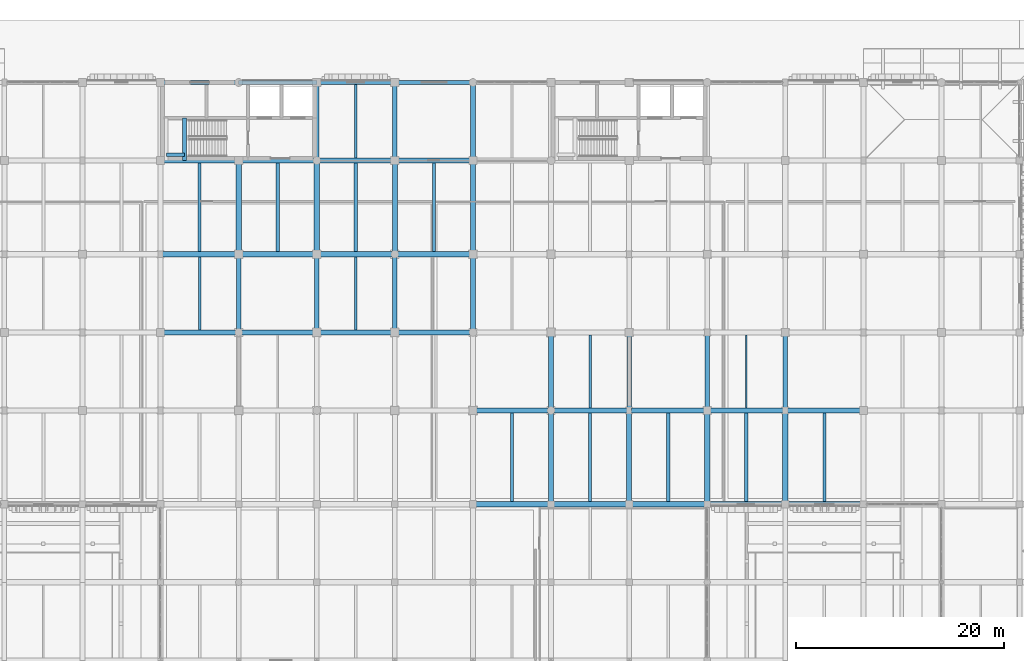
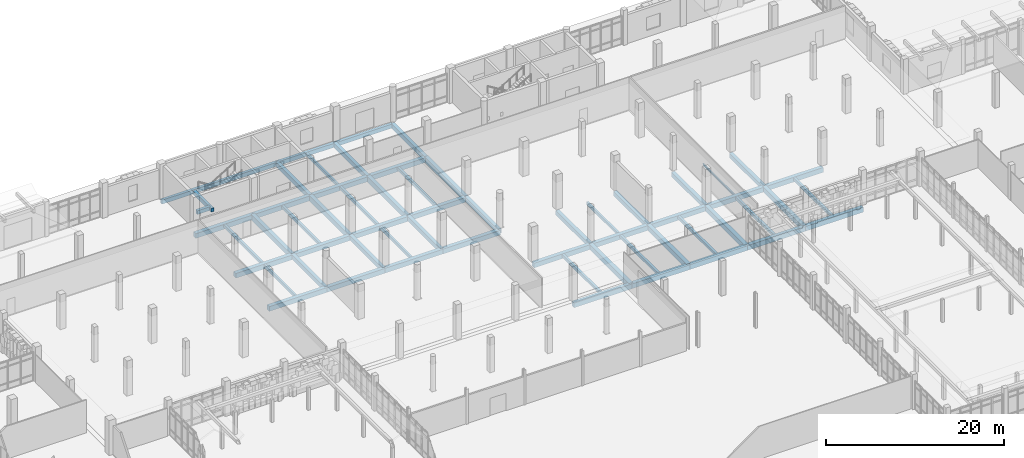
# One storey, part 50 of 125: 61 beams.
"""IFC4 building model written with IfcOpenShell, lengths in metres."""

from ifc_helpers import new_model, si_unit, direction, frame, origin, origin_2d, place, context, subcontext, project, spatial, rectangle, i_section, extrude, material, material_profile, profile_set, type_object, element, save


model = new_model("IFC4")

# Units and contexts
model_context = context("Model", 3, precision=1e-05, world=origin(), true_north=direction((0.0, 1.0)))
body_context = subcontext(model_context, "Body", "Model", "MODEL_VIEW")
ifc_project = project(units=[si_unit("LENGTHUNIT", "METRE"), si_unit("AREAUNIT", "SQUARE_METRE"), si_unit("VOLUMEUNIT", "CUBIC_METRE"), si_unit("PLANEANGLEUNIT", "RADIAN"), si_unit("MASSUNIT", "GRAM", prefix="KILO")], contexts=[model_context])

# Site, building, storey
site_placement = place(None, origin())
site = spatial("IfcSite", under=ifc_project, at=site_placement, CompositionType="ELEMENT")
building_placement = place(site_placement, origin())
building = spatial("IfcBuilding", under=site, at=building_placement, Name="Dalvernix Boulevard General Hospital", CompositionType="ELEMENT")
storey_placement = place(building_placement, origin())
storey = spatial("IfcBuildingStorey", under=building, at=storey_placement, Name="L00", CompositionType="ELEMENT", Elevation=0.0)

# Beams
ifc_material_1 = material(Name="Concrete C35/45", Category="concrete")
ifc_material_profile_1 = material_profile(ifc_material_1, rectangle(XDim=0.5, YDim=0.699951171875, at=origin_2d()), Name="RCB 500x700")
ifc_profile_set_1 = profile_set([ifc_material_profile_1], Name="Concrete C35/45")
beam_type_1 = type_object("IfcBeamType", Name="BM-B-01-I", PredefinedType="BEAM", material=ifc_profile_set_1)
for number, where, z_axis, x_axis, name in (
    (1, (67.5, 100.5, -0.7099609375), (0.0, 1.0, 0.0), (-1.0, 0.0, 0.0), "L00 N-S girder 10:P-Q"),
    (2, (75.0, 100.5, -0.7099609375), (0.0, 1.0, 0.0), (-1.0, 0.0, 0.0), "L00 N-S girder 11:P-Q"),
    (3, (82.5, 100.5, -0.7099609375), (0.0, 1.0, 0.0), (-1.0, 0.0, 0.0), "L00 N-S girder 12:P-Q"),
    (4, (90.0, 100.5, -0.7099609375), (0.0, 1.0, 0.0), (-1.0, 0.0, 0.0), "L00 N-S girder 13:P-Q"),
    (5, (97.5, 76.5, -0.7099609375), (0.0, 1.0, 0.0), (-1.0, 0.0, 0.0), "L00 N-S girder 14:L-M"),
    (6, (105.0, 76.5, -0.7099609375), (0.0, 1.0, 0.0), (-1.0, 0.0, 0.0), "L00 N-S girder 15:L-M"),
    (7, (112.5, 76.5, -0.7099609375), (0.0, 1.0, 0.0), (-1.0, 0.0, 0.0), "L00 N-S girder 16:L-M"),
    (8, (120.0, 76.5, -0.7099609375), (0.0, 1.0, 0.0), (-1.0, 0.0, 0.0), "L00 N-S girder 17:L-M"),
):
    element("IfcBeam", number, at=place(storey_placement, frame(where, z_axis=z_axis, x_axis=x_axis)), inside=storey, type_object=beam_type_1, Name=name, PredefinedType="BEAM", context=body_context, shape_type="SweptSolid", body=[
        extrude(rectangle(XDim=0.5, YDim=0.699951171875, at=origin_2d()), origin(), (0.0, 0.0, 1.0), 9.0),
    ])
ifc_material_profile_2 = material_profile(ifc_material_1, rectangle(XDim=0.5, YDim=0.64990234375, at=origin_2d()), Name="RCB 500x650")
ifc_profile_set_2 = profile_set([ifc_material_profile_2], Name="Concrete C35/45")
beam_type_2 = type_object("IfcBeamType", Name="BM-B-02-I", PredefinedType="BEAM", material=ifc_profile_set_2)
for number, where, z_axis, x_axis, name in (
    (9, (90.0, 76.5, -0.68505859375), (1.0, 0.0, 0.0), (0.0, 1.0, 0.0), "L00 E-W girder L:13-14"),
    (10, (97.5, 76.5, -0.68505859375), (1.0, 0.0, 0.0), (0.0, 1.0, 0.0), "L00 E-W girder L:14-15"),
    (11, (105.0, 76.5, -0.68505859375), (1.0, 0.0, 0.0), (0.0, 1.0, 0.0), "L00 E-W girder L:15-16"),
    (12, (112.5, 76.5, -0.68505859375), (1.0, 0.0, 0.0), (0.0, 1.0, 0.0), "L00 E-W girder L:16-17"),
    (13, (120.0, 76.5, -0.68505859375), (1.0, 0.0, 0.0), (0.0, 1.0, 0.0), "L00 E-W girder L:17-18"),
    (14, (90.0, 85.5, -0.68505859375), (1.0, 0.0, 0.0), (0.0, 1.0, 0.0), "L00 E-W girder M:13-14"),
    (15, (97.5, 85.5, -0.68505859375), (1.0, 0.0, 0.0), (0.0, 1.0, 0.0), "L00 E-W girder M:14-15"),
    (16, (105.0, 85.5, -0.68505859375), (1.0, 0.0, 0.0), (0.0, 1.0, 0.0), "L00 E-W girder M:15-16"),
    (17, (112.5, 85.5, -0.68505859375), (1.0, 0.0, 0.0), (0.0, 1.0, 0.0), "L00 E-W girder M:16-17"),
    (18, (120.0, 85.5, -0.68505859375), (1.0, 0.0, 0.0), (0.0, 1.0, 0.0), "L00 E-W girder M:17-18"),
    (19, (60.0, 93.0, -0.68505859375), (1.0, 0.0, 0.0), (0.0, 1.0, 0.0), "L00 E-W girder N:9-10"),
    (20, (67.5, 93.0, -0.68505859375), (1.0, 0.0, 0.0), (0.0, 1.0, 0.0), "L00 E-W girder N:10-11"),
    (21, (75.0, 93.0, -0.68505859375), (1.0, 0.0, 0.0), (0.0, 1.0, 0.0), "L00 E-W girder N:11-12"),
    (22, (82.5, 93.0, -0.68505859375), (1.0, 0.0, 0.0), (0.0, 1.0, 0.0), "L00 E-W girder N:12-13"),
    (23, (60.0, 100.5, -0.68505859375), (1.0, 0.0, 0.0), (0.0, 1.0, 0.0), "L00 E-W girder P:9-10"),
    (24, (67.5, 100.5, -0.68505859375), (1.0, 0.0, 0.0), (0.0, 1.0, 0.0), "L00 E-W girder P:10-11"),
    (25, (75.0, 100.5, -0.68505859375), (1.0, 0.0, 0.0), (0.0, 1.0, 0.0), "L00 E-W girder P:11-12"),
    (26, (82.5, 100.5, -0.68505859375), (1.0, 0.0, 0.0), (0.0, 1.0, 0.0), "L00 E-W girder P:12-13"),
    (27, (60.0, 109.5, -0.68505859375), (1.0, 0.0, 0.0), (0.0, 1.0, 0.0), "L00 E-W girder Q:9-10"),
    (28, (67.5, 109.5, -0.68505859375), (1.0, 0.0, 0.0), (0.0, 1.0, 0.0), "L00 E-W girder Q:10-11"),
    (29, (75.0, 109.5, -0.68505859375), (1.0, 0.0, 0.0), (0.0, 1.0, 0.0), "L00 E-W girder Q:11-12"),
    (30, (82.5, 109.5, -0.68505859375), (1.0, 0.0, 0.0), (0.0, 1.0, 0.0), "L00 E-W girder Q:12-13"),
):
    element("IfcBeam", number, at=place(storey_placement, frame(where, z_axis=z_axis, x_axis=x_axis)), inside=storey, type_object=beam_type_2, Name=name, PredefinedType="BEAM", context=body_context, shape_type="SweptSolid", body=[
        extrude(rectangle(XDim=0.5, YDim=0.64990234375, at=origin_2d()), origin(), (0.0, 0.0, 1.0), 7.5),
    ])
ifc_material_profile_3 = material_profile(ifc_material_1, rectangle(XDim=0.449951171875, YDim=0.60009765625, at=origin_2d()), Name="RCB 450x600")
ifc_profile_set_3 = profile_set([ifc_material_profile_3], Name="Concrete C35/45")
beam_type_3 = type_object("IfcBeamType", Name="BM-B-04-I", PredefinedType="BEAM", material=ifc_profile_set_3)
for number, where, z_axis, x_axis, name in (
    (31, (67.5, 93.0, -0.659912109375), (0.0, 1.0, 0.0), (-1.0, 0.0, 0.0), "L00 N-S girder 10:N-P"),
    (32, (75.0, 93.0, -0.659912109375), (0.0, 1.0, 0.0), (-1.0, 0.0, 0.0), "L00 N-S girder 11:N-P"),
    (33, (75.0, 109.5, -0.659912109375), (0.0, 1.0, 0.0), (-1.0, 0.0, 0.0), "L00 N-S girder 11:Q-R"),
    (34, (82.5, 93.0, -0.659912109375), (0.0, 1.0, 0.0), (-1.0, 0.0, 0.0), "L00 N-S girder 12:N-P"),
    (35, (82.5, 109.5, -0.659912109375), (0.0, 1.0, 0.0), (-1.0, 0.0, 0.0), "L00 N-S girder 12:Q-R"),
    (36, (90.0, 93.0, -0.659912109375), (0.0, 1.0, 0.0), (-1.0, 0.0, 0.0), "L00 N-S girder 13:N-P"),
    (37, (90.0, 109.5, -0.659912109375), (0.0, 1.0, 0.0), (-1.0, 0.0, 0.0), "L00 N-S girder 13:Q-R"),
    (38, (97.5, 85.5, -0.659912109375), (0.0, 1.0, 0.0), (-1.0, 0.0, 0.0), "L00 N-S girder 14:M-N"),
    (39, (105.0, 85.5, -0.659912109375), (0.0, 1.0, 0.0), (-1.0, 0.0, 0.0), "L00 N-S girder 15:M-N"),
    (40, (112.5, 85.5, -0.659912109375), (0.0, 1.0, 0.0), (-1.0, 0.0, 0.0), "L00 N-S girder 16:M-N"),
    (41, (120.0, 85.5, -0.659912109375), (0.0, 1.0, 0.0), (-1.0, 0.0, 0.0), "L00 N-S girder 17:M-N"),
):
    element("IfcBeam", number, at=place(storey_placement, frame(where, z_axis=z_axis, x_axis=x_axis)), inside=storey, type_object=beam_type_3, Name=name, PredefinedType="BEAM", context=body_context, shape_type="SweptSolid", body=[
        extrude(rectangle(XDim=0.449951171875, YDim=0.60009765625, at=origin_2d()), origin(), (0.0, 0.0, 1.0), 7.5),
    ])
ifc_material_profile_4 = material_profile(ifc_material_1, rectangle(XDim=0.35009765625, YDim=0.5, at=origin_2d()), Name="RCB 350x500")
ifc_profile_set_4 = profile_set([ifc_material_profile_4], Name="Concrete C35/45")
beam_type_4 = type_object("IfcBeamType", Name="BM-B-08", PredefinedType="BEAM", material=ifc_profile_set_4)
beam_1_placement = place(storey_placement, frame((62.300048828125, 109.5, 1.949951171875), z_axis=(0.0, 1.0, 0.0), x_axis=(-1.0, 0.0, 0.0)))
element("IfcBeam", 42, at=beam_1_placement, inside=storey, type_object=beam_type_4, Name="L00 C3 stair half-landing beam 2", PredefinedType="BEAM", context=body_context, shape_type="SweptSolid", body=[
    extrude(rectangle(XDim=0.35009765625, YDim=0.5, at=origin_2d()), origin(), (0.0, 0.0, 1.0), 4.10009765625),
])
beam_2_placement = place(storey_placement, frame((60.550048828125, 110.050048828125, 1.949951171875), z_axis=(1.0, 0.0, 0.0), x_axis=(0.0, 1.0, 0.0)))
element("IfcBeam", 43, at=beam_2_placement, inside=storey, type_object=beam_type_4, Name="L00 C3 stair half-landing tie beam", PredefinedType="BEAM", context=body_context, shape_type="SweptSolid", body=[
    extrude(rectangle(XDim=0.35009765625, YDim=0.5, at=origin_2d()), origin(), (0.0, 0.0, 1.0), 1.75),
])
ifc_material_profile_5 = material_profile(ifc_material_1, rectangle(XDim=0.300048828125, YDim=0.39990234375, at=origin_2d()), Name="RCB 300x400")
ifc_profile_set_5 = profile_set([ifc_material_profile_5], Name="Concrete C35/45")
beam_type_5 = type_object("IfcBeamType", Name="BM-JB-01", PredefinedType="JOIST", material=ifc_profile_set_5)
for number, where, z_axis, x_axis, name in (
    (44, (63.75, 100.75, -0.56005859375), (0.0, 1.0, 0.0), (-1.0, 0.0, 0.0), "L00 secondary floor beam 9-P"),
    (45, (71.25, 100.75, -0.56005859375), (0.0, 1.0, 0.0), (-1.0, 0.0, 0.0), "L00 secondary floor beam 10-P"),
    (46, (78.75, 100.75, -0.56005859375), (0.0, 1.0, 0.0), (-1.0, 0.0, 0.0), "L00 secondary floor beam 11-P"),
    (47, (86.25, 100.75, -0.56005859375), (0.0, 1.0, 0.0), (-1.0, 0.0, 0.0), "L00 secondary floor beam 12-P"),
    (48, (93.75, 76.75, -0.56005859375), (0.0, 1.0, 0.0), (-1.0, 0.0, 0.0), "L00 secondary floor beam 13-L"),
    (49, (101.25, 76.75, -0.56005859375), (0.0, 1.0, 0.0), (-1.0, 0.0, 0.0), "L00 secondary floor beam 14-L"),
    (50, (108.75, 76.75, -0.56005859375), (0.0, 1.0, 0.0), (-1.0, 0.0, 0.0), "L00 secondary floor beam 15-L"),
    (51, (116.25, 76.75, -0.56005859375), (0.0, 1.0, 0.0), (-1.0, 0.0, 0.0), "L00 secondary floor beam 16-L"),
    (52, (123.75, 76.75, -0.56005859375), (0.0, 1.0, 0.0), (-1.0, 0.0, 0.0), "L00 secondary floor beam 17-L"),
):
    element("IfcBeam", number, at=place(storey_placement, frame(where, z_axis=z_axis, x_axis=x_axis)), inside=storey, type_object=beam_type_5, Name=name, PredefinedType="JOIST", context=body_context, shape_type="SweptSolid", body=[
        extrude(rectangle(XDim=0.300048828125, YDim=0.39990234375, at=origin_2d()), origin(), (0.0, 0.0, 1.0), 8.5),
    ])
ifc_material_profile_6 = material_profile(ifc_material_1, rectangle(XDim=0.25, YDim=0.39990234375, at=origin_2d()), Name="RCB 250x400")
ifc_profile_set_6 = profile_set([ifc_material_profile_6], Name="Concrete C35/45")
beam_type_6 = type_object("IfcBeamType", Name="BM-JB-02", PredefinedType="JOIST", material=ifc_profile_set_6)
for number, where, z_axis, x_axis, name in (
    (53, (63.75, 93.25, -0.56005859375), (0.0, 1.0, 0.0), (-1.0, 0.0, 0.0), "L00 secondary floor beam 9-N"),
    (54, (78.75, 93.25, -0.56005859375), (0.0, 1.0, 0.0), (-1.0, 0.0, 0.0), "L00 secondary floor beam 11-N"),
):
    element("IfcBeam", number, at=place(storey_placement, frame(where, z_axis=z_axis, x_axis=x_axis)), inside=storey, type_object=beam_type_6, Name=name, PredefinedType="JOIST", context=body_context, shape_type="SweptSolid", body=[
        extrude(rectangle(XDim=0.25, YDim=0.39990234375, at=origin_2d()), origin(), (0.0, 0.0, 1.0), 7.0),
    ])
beam_3_placement = place(storey_placement, frame((78.75, 109.75, -0.56005859375), z_axis=(0.0, 1.0, 0.0), x_axis=(-1.0, 0.0, 0.0)))
element("IfcBeam", 55, at=beam_3_placement, inside=storey, type_object=beam_type_6, Name="L00 secondary floor beam 11-Q", PredefinedType="JOIST", context=body_context, shape_type="SweptSolid", body=[
    extrude(rectangle(XDim=0.25, YDim=0.39990234375, at=origin_2d()), origin(), (0.0, 0.0, 1.0), 7.074951171875),
])
beam_4_placement = place(storey_placement, frame((101.25, 85.75, -0.56005859375), z_axis=(0.0, 1.0, 0.0), x_axis=(-1.0, 0.0, 0.0)))
element("IfcBeam", 56, at=beam_4_placement, inside=storey, type_object=beam_type_6, Name="L00 secondary floor beam 14-M", PredefinedType="JOIST", context=body_context, shape_type="SweptSolid", body=[
    extrude(rectangle(XDim=0.25, YDim=0.39990234375, at=origin_2d()), origin(), (0.0, 0.0, 1.0), 7.0),
])
ifc_material_2 = material(Name="Steel S355", Category="steel")
ifc_material_profile_7 = material_profile(ifc_material_2, i_section(OverallWidth=0.14990234375, OverallDepth=0.300048828125, WebThickness=0.007080078125, FlangeThickness=0.0107421875, FilletRadius=0.014892578125, at=origin_2d()), Name="IPE 300")
ifc_profile_set_7 = profile_set([ifc_material_profile_7], Name="Steel S355")
beam_type_7 = type_object("IfcBeamType", Name="BM-JB-03", PredefinedType="JOIST", material=ifc_profile_set_7)
beam_5_placement = place(storey_placement, frame((116.25, 85.75, -0.510009765625), z_axis=(0.0, 1.0, 0.0), x_axis=(-1.0, 0.0, 0.0)))
element("IfcBeam", 57, at=beam_5_placement, inside=storey, type_object=beam_type_7, Name="L00 secondary floor beam 16-M", PredefinedType="JOIST", context=body_context, shape_type="SweptSolid", body=[
    extrude(i_section(OverallWidth=0.14990234375, OverallDepth=0.300048828125, WebThickness=0.007080078125, FlangeThickness=0.0107421875, FilletRadius=0.014892578125, at=origin_2d()), origin(), (0.0, 0.0, 1.0), 7.0),
])
ifc_material_profile_8 = material_profile(ifc_material_1, rectangle(XDim=0.35009765625, YDim=0.550048828125, at=origin_2d()), Name="RCB 350x550")
ifc_profile_set_8 = profile_set([ifc_material_profile_8], Name="Concrete C35/45")
beam_type_8 = type_object("IfcBeamType", Name="BM-SB-01-E", PredefinedType="SPANDREL", material=ifc_profile_set_8)
for number, where, z_axis, x_axis, name in (
    (58, (60.0, 117.0, -0.635009765625), (1.0, 0.0, 0.0), (0.0, 1.0, 0.0), "L00 E-W girder R:9-10"),
    (59, (67.5, 117.0, -0.635009765625), (1.0, 0.0, 0.0), (0.0, 1.0, 0.0), "L00 E-W girder R:10-11"),
    (60, (75.0, 117.0, -0.635009765625), (1.0, 0.0, 0.0), (0.0, 1.0, 0.0), "L00 E-W girder R:11-12"),
    (61, (82.5, 117.0, -0.635009765625), (1.0, 0.0, 0.0), (0.0, 1.0, 0.0), "L00 E-W girder R:12-13"),
):
    element("IfcBeam", number, at=place(storey_placement, frame(where, z_axis=z_axis, x_axis=x_axis)), inside=storey, type_object=beam_type_8, Name=name, PredefinedType="SPANDREL", context=body_context, shape_type="SweptSolid", body=[
        extrude(rectangle(XDim=0.35009765625, YDim=0.550048828125, at=origin_2d()), origin(), (0.0, 0.0, 1.0), 7.5),
    ])

save(model, "model.ifc")
